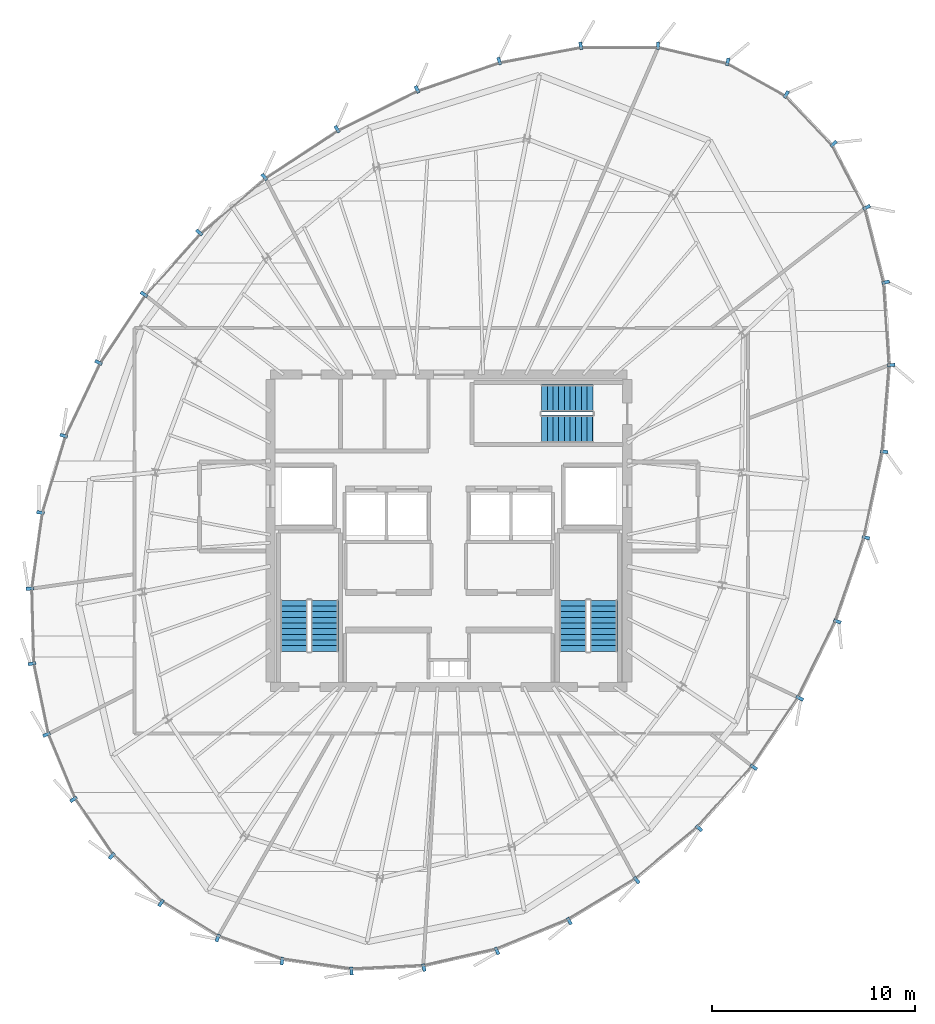
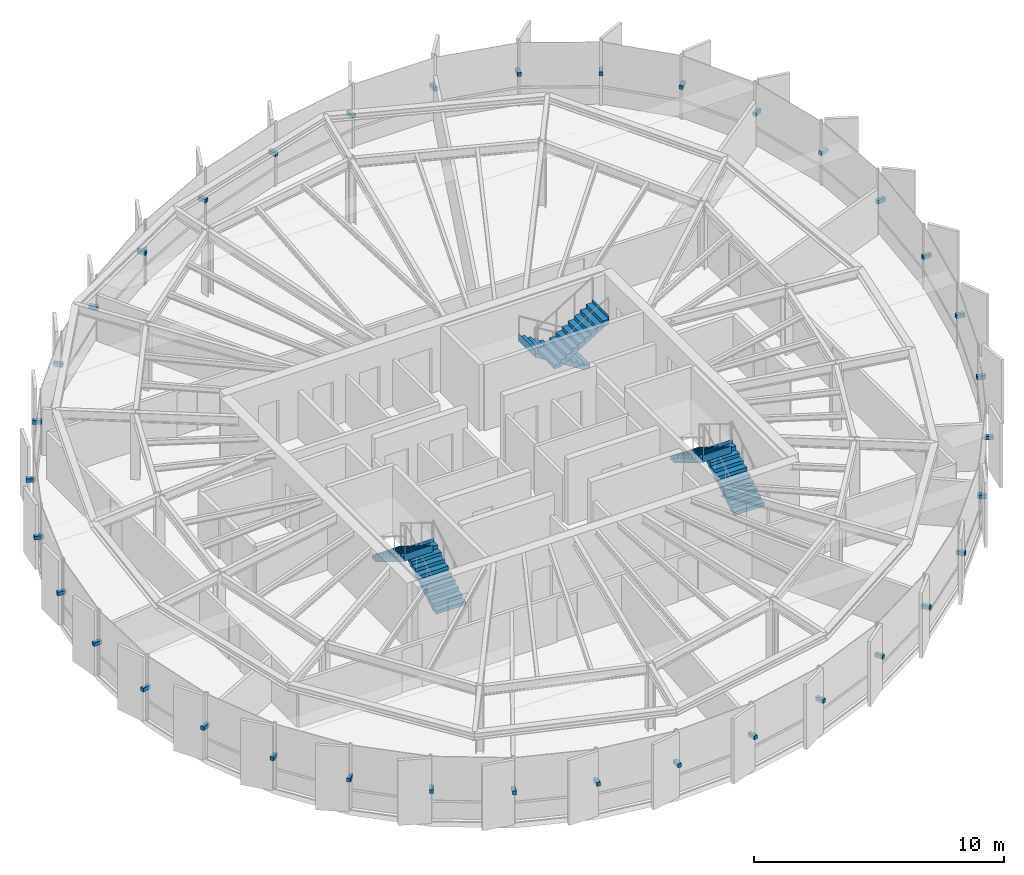
# One storey, part 31 of 35: 36 discrete accessories, 6 stair flights, 3 elements without a shape of their own.
"""IFC4 building model written with IfcOpenShell, lengths in metres."""

from ifc_helpers import new_model, si_unit, direction, frame, origin, origin_2d, place, context, subcontext, project, spatial, polyline, rectangle, outline, extrude, source, transform, mapped, material, type_object, element, aggregate, save


model = new_model("IFC4")

# Units and contexts
model_context = context("Model", 3, precision=1e-05, world=origin(), true_north=direction((0.0, 1.0)))
body_context = subcontext(model_context, "Body", "Model", "MODEL_VIEW")
ifc_project = project(units=[si_unit("LENGTHUNIT", "METRE"), si_unit("AREAUNIT", "SQUARE_METRE"), si_unit("VOLUMEUNIT", "CUBIC_METRE"), si_unit("PLANEANGLEUNIT", "RADIAN"), si_unit("MASSUNIT", "GRAM", prefix="KILO"), si_unit("THERMODYNAMICTEMPERATUREUNIT", "KELVIN")], contexts=[model_context])

# Site, building, storey
site_placement = place(None, origin())
site = spatial("IfcSite", under=ifc_project, at=site_placement, CompositionType="ELEMENT")
building_placement = place(site_placement, origin())
building = spatial("IfcBuilding", under=site, at=building_placement, Name="Kethvar Cultural Tower", CompositionType="ELEMENT")
storey_placement = place(building_placement, frame((0.0, 0.0, 245.64990234375)))
storey = spatial("IfcBuildingStorey", under=building, at=storey_placement, Name="L64", CompositionType="ELEMENT", Elevation=245.64990234375)

# Stair, stair flights
ifc_material_1 = material(Name="Concrete C40/50", Category="concrete")
stair_type = type_object("IfcStairType", Name="ST-DOGLEG-135", PredefinedType="HALF_TURN_STAIR", material=ifc_material_1)
stair_1_placement = place(storey_placement, origin())
stair_1 = element("IfcStair", 1, at=stair_1_placement, inside=storey, type_object=stair_type, Name="L64 Core Exit Stair 1", PredefinedType="HALF_TURN_STAIR")
stair_flight_type = type_object("IfcStairFlightType", Name="FL-STRAIGHT-135", PredefinedType="STRAIGHT", material=ifc_material_1)
stair_flight_1_placement = place(storey_placement, frame((40.675048828125, 21.85009765625, 0.0), z_axis=(0.0, 0.0, 1.0), x_axis=(0.0, 1.0, 0.0)))
stair_flight_1 = element("IfcStairFlight", 2, at=stair_flight_1_placement, type_object=stair_flight_type, Name="ST-01 flight 1", NumberOfRisers=10, NumberOfTreads=9, PredefinedType="STRAIGHT", RiserHeight=0.1725, TreadLength=0.28, context=body_context, shape_type="SweptSolid", body=[
    extrude(outline(polyline([(-0.0009765625, -0.0009765625), (-0.0009765625, 0.172607421875), (0.280029296875, 0.172607421875), (0.280029296875, 0.344970703125), (0.56005859375, 0.344970703125), (0.56005859375, 0.517578125), (0.840087890625, 0.517578125), (0.840087890625, 0.68994140625), (1.1201171875, 0.68994140625), (1.1201171875, 0.862548828125), (1.39990234375, 0.862548828125), (1.39990234375, 1.034912109375), (1.679931640625, 1.034912109375), (1.679931640625, 1.20751953125), (1.9599609375, 1.20751953125), (1.9599609375, 1.3798828125), (2.239990234375, 1.3798828125), (2.239990234375, 1.552490234375), (2.52001953125, 1.552490234375), (2.52001953125, 1.72509765625), (2.52099609375, 1.72509765625), (2.52099609375, 1.37646484375), (0.285888671875, 0.0), (0.0, -0.0009765625), (-0.0009765625, -0.0009765625)])), frame((0.0, 0.675048828125, 0.0), z_axis=(0.0, -1.0, 0.0), x_axis=(1.0, 0.0, 0.0)), (0.0, 0.0, 1.0), 1.35009765625),
])
stair_flight_2_placement = place(storey_placement, frame((39.1650390625, 24.3701171875, 1.72509765625), z_axis=(0.0, 0.0, 1.0), x_axis=(0.0, -1.0, 0.0)))
stair_flight_2 = element("IfcStairFlight", 3, at=stair_flight_2_placement, type_object=stair_flight_type, Name="ST-01 flight 2", NumberOfRisers=10, NumberOfTreads=9, PredefinedType="STRAIGHT", RiserHeight=0.1725, TreadLength=0.28, context=body_context, shape_type="SweptSolid", body=[
    extrude(outline(polyline([(-0.0009765625, -0.0009765625), (-0.0009765625, 0.172607421875), (0.280029296875, 0.172607421875), (0.280029296875, 0.344970703125), (0.56005859375, 0.344970703125), (0.56005859375, 0.517578125), (0.840087890625, 0.517578125), (0.840087890625, 0.68994140625), (1.1201171875, 0.68994140625), (1.1201171875, 0.862548828125), (1.39990234375, 0.862548828125), (1.39990234375, 1.034912109375), (1.679931640625, 1.034912109375), (1.679931640625, 1.20751953125), (1.9599609375, 1.20751953125), (1.9599609375, 1.3798828125), (2.239990234375, 1.3798828125), (2.239990234375, 1.552490234375), (2.52001953125, 1.552490234375), (2.52001953125, 1.72509765625), (2.52099609375, 1.72509765625), (2.52099609375, 1.37646484375), (0.285888671875, 0.0), (0.0, -0.0009765625), (-0.0009765625, -0.0009765625)])), frame((0.0, 0.675048828125, 0.0), z_axis=(0.0, -1.0, 0.0), x_axis=(1.0, 0.0, 0.0)), (0.0, 0.0, 1.0), 1.35009765625),
])
aggregate(stair_1, [stair_flight_1, stair_flight_2])

stair_2_placement = place(storey_placement, origin())
stair_2 = element("IfcStair", 4, at=stair_2_placement, inside=storey, type_object=stair_type, Name="L64 Core Exit Stair 2", PredefinedType="HALF_TURN_STAIR")
stair_flight_3_placement = place(storey_placement, frame((54.43505859375, 21.85009765625, 0.0), z_axis=(0.0, 0.0, 1.0), x_axis=(0.0, 1.0, 0.0)))
stair_flight_3 = element("IfcStairFlight", 5, at=stair_flight_3_placement, type_object=stair_flight_type, Name="ST-02 flight 1", NumberOfRisers=10, NumberOfTreads=9, PredefinedType="STRAIGHT", RiserHeight=0.1725, TreadLength=0.28, context=body_context, shape_type="SweptSolid", body=[
    extrude(outline(polyline([(-0.0009765625, -0.0009765625), (-0.0009765625, 0.172607421875), (0.280029296875, 0.172607421875), (0.280029296875, 0.344970703125), (0.56005859375, 0.344970703125), (0.56005859375, 0.517578125), (0.840087890625, 0.517578125), (0.840087890625, 0.68994140625), (1.1201171875, 0.68994140625), (1.1201171875, 0.862548828125), (1.39990234375, 0.862548828125), (1.39990234375, 1.034912109375), (1.679931640625, 1.034912109375), (1.679931640625, 1.20751953125), (1.9599609375, 1.20751953125), (1.9599609375, 1.3798828125), (2.239990234375, 1.3798828125), (2.239990234375, 1.552490234375), (2.52001953125, 1.552490234375), (2.52001953125, 1.72509765625), (2.52099609375, 1.72509765625), (2.52099609375, 1.37646484375), (0.285888671875, 0.0), (0.0, -0.0009765625), (-0.0009765625, -0.0009765625)])), frame((0.0, 0.675048828125, 0.0), z_axis=(0.0, -1.0, 0.0), x_axis=(1.0, 0.0, 0.0)), (0.0, 0.0, 1.0), 1.35009765625),
])
stair_flight_4_placement = place(storey_placement, frame((52.925048828125, 24.3701171875, 1.72509765625), z_axis=(0.0, 0.0, 1.0), x_axis=(0.0, -1.0, 0.0)))
stair_flight_4 = element("IfcStairFlight", 6, at=stair_flight_4_placement, type_object=stair_flight_type, Name="ST-02 flight 2", NumberOfRisers=10, NumberOfTreads=9, PredefinedType="STRAIGHT", RiserHeight=0.1725, TreadLength=0.28, context=body_context, shape_type="SweptSolid", body=[
    extrude(outline(polyline([(-0.0009765625, -0.0009765625), (-0.0009765625, 0.172607421875), (0.280029296875, 0.172607421875), (0.280029296875, 0.344970703125), (0.56005859375, 0.344970703125), (0.56005859375, 0.517578125), (0.840087890625, 0.517578125), (0.840087890625, 0.68994140625), (1.1201171875, 0.68994140625), (1.1201171875, 0.862548828125), (1.39990234375, 0.862548828125), (1.39990234375, 1.034912109375), (1.679931640625, 1.034912109375), (1.679931640625, 1.20751953125), (1.9599609375, 1.20751953125), (1.9599609375, 1.3798828125), (2.239990234375, 1.3798828125), (2.239990234375, 1.552490234375), (2.52001953125, 1.552490234375), (2.52001953125, 1.72509765625), (2.52099609375, 1.72509765625), (2.52099609375, 1.37646484375), (0.285888671875, 0.0), (0.0, -0.0009765625), (-0.0009765625, -0.0009765625)])), frame((0.0, 0.675048828125, 0.0), z_axis=(0.0, -1.0, 0.0), x_axis=(1.0, 0.0, 0.0)), (0.0, 0.0, 1.0), 1.35009765625),
])
aggregate(stair_2, [stair_flight_3, stair_flight_4])

stair_3_placement = place(storey_placement, origin())
stair_3 = element("IfcStair", 7, at=stair_3_placement, inside=storey, type_object=stair_type, Name="L64 Core Exit Stair 3", PredefinedType="HALF_TURN_STAIR")
stair_flight_5_placement = place(storey_placement, frame((53.89990234375, 34.3349609375, 0.0), z_axis=(0.0, 0.0, 1.0), x_axis=(-1.0, 0.0, 0.0)))
stair_flight_5 = element("IfcStairFlight", 8, at=stair_flight_5_placement, type_object=stair_flight_type, Name="ST-03 flight 1", NumberOfRisers=10, NumberOfTreads=9, PredefinedType="STRAIGHT", RiserHeight=0.1725, TreadLength=0.28, context=body_context, shape_type="SweptSolid", body=[
    extrude(outline(polyline([(-0.0009765625, -0.0009765625), (-0.0009765625, 0.172607421875), (0.280029296875, 0.172607421875), (0.280029296875, 0.344970703125), (0.56005859375, 0.344970703125), (0.56005859375, 0.517578125), (0.840087890625, 0.517578125), (0.840087890625, 0.68994140625), (1.1201171875, 0.68994140625), (1.1201171875, 0.862548828125), (1.39990234375, 0.862548828125), (1.39990234375, 1.034912109375), (1.679931640625, 1.034912109375), (1.679931640625, 1.20751953125), (1.9599609375, 1.20751953125), (1.9599609375, 1.3798828125), (2.239990234375, 1.3798828125), (2.239990234375, 1.552490234375), (2.52001953125, 1.552490234375), (2.52001953125, 1.72509765625), (2.52099609375, 1.72509765625), (2.52099609375, 1.37646484375), (0.285888671875, 0.0), (0.0, -0.0009765625), (-0.0009765625, -0.0009765625)])), frame((0.0, 0.675048828125, 0.0), z_axis=(0.0, -1.0, 0.0), x_axis=(1.0, 0.0, 0.0)), (0.0, 0.0, 1.0), 1.35009765625),
])
stair_flight_6_placement = place(storey_placement, frame((51.3798828125, 32.824951171875, 1.72509765625), z_axis=(0.0, 0.0, 1.0), x_axis=(1.0, 0.0, 0.0)))
stair_flight_6 = element("IfcStairFlight", 9, at=stair_flight_6_placement, type_object=stair_flight_type, Name="ST-03 flight 2", NumberOfRisers=10, NumberOfTreads=9, PredefinedType="STRAIGHT", RiserHeight=0.1725, TreadLength=0.28, context=body_context, shape_type="SweptSolid", body=[
    extrude(outline(polyline([(-0.0009765625, -0.0009765625), (-0.0009765625, 0.172607421875), (0.280029296875, 0.172607421875), (0.280029296875, 0.344970703125), (0.56005859375, 0.344970703125), (0.56005859375, 0.517578125), (0.840087890625, 0.517578125), (0.840087890625, 0.68994140625), (1.1201171875, 0.68994140625), (1.1201171875, 0.862548828125), (1.39990234375, 0.862548828125), (1.39990234375, 1.034912109375), (1.679931640625, 1.034912109375), (1.679931640625, 1.20751953125), (1.9599609375, 1.20751953125), (1.9599609375, 1.3798828125), (2.239990234375, 1.3798828125), (2.239990234375, 1.552490234375), (2.52001953125, 1.552490234375), (2.52001953125, 1.72509765625), (2.52099609375, 1.72509765625), (2.52099609375, 1.37646484375), (0.285888671875, 0.0), (0.0, -0.0009765625), (-0.0009765625, -0.0009765625)])), frame((0.0, 0.675048828125, 0.0), z_axis=(0.0, -1.0, 0.0), x_axis=(1.0, 0.0, 0.0)), (0.0, 0.0, 1.0), 1.35009765625),
])
aggregate(stair_3, [stair_flight_5, stair_flight_6])

# Discrete accessories
ifc_material_2 = material(Name="Steel S355J2", Category="steel")
discrete_accessory_type = type_object("IfcDiscreteAccessoryType", Name="Steel Fin Bracket BRK-01", PredefinedType="BRACKET", material=ifc_material_2)
shared_shape = source(origin(), body_context, "Body", "SweptSolid", [
    extrude(rectangle(XDim=0.3798828125, YDim=0.159912109375, at=origin_2d()), origin(), (0.0, 0.0, 1.0), 0.179931640625),
])
for number, where, z_axis, x_axis, name in (
    (10, (63.444580078125, 49.318115234375, 1.51513671875), (0.0, 0.0, 1.0), (0.487097705254, 0.873347482699, 0.0), "L64 Terracotta Fin Bracket 1.1"),
    (11, (60.555419921875, 50.928466796875, 1.51513671875), (0.0, 0.0, 1.0), (0.226651307437, 0.973975967279, 0.0), "L64 Terracotta Fin Bracket 1.2"),
    (12, (57.12060546875, 51.727783203125, 1.51513671875), (0.0, 0.0, 1.0), (-0.002268926081, 0.999997425984, 0.0), "L64 Terracotta Fin Bracket 1.3"),
    (13, (53.309814453125, 51.71923828125, 1.51513671875), (0.0, 0.0, 1.0), (-0.183608230249, 0.982999500399, 0.0), "L64 Terracotta Fin Bracket 1.4"),
    (14, (49.288818359375, 50.968017578125, 1.51513671875), (0.0, 0.0, 1.0), (-0.326393150999, 0.945234103797, 0.0), "L64 Terracotta Fin Bracket 1.5"),
    (15, (45.23583984375, 49.568359375, 1.51513671875), (0.0, 0.0, 1.0), (-0.444322489715, 0.895866912623, 0.0), "L64 Terracotta Fin Bracket 1.6"),
    (16, (41.29345703125, 47.60791015625, 1.51513671875), (0.0, 0.0, 1.0), (-0.54946037043, 0.835519779135, 0.0), "L64 Terracotta Fin Bracket 2.1"),
    (17, (37.703369140625, 45.2470703125, 1.51513671875), (0.0, 0.0, 1.0), (-0.648917026597, 0.760859180527, 0.0), "L64 Terracotta Fin Bracket 2.2"),
    (18, (34.493408203125, 42.509033203125, 1.51513671875), (0.0, 0.0, 1.0), (-0.744894056592, 0.667182766905, 0.0), "L64 Terracotta Fin Bracket 2.3"),
    (19, (31.76416015625, 39.4619140625, 1.51513671875), (0.0, 0.0, 1.0), (-0.83195412213, 0.554844427448, 0.0), "L64 Terracotta Fin Bracket 2.4"),
    (20, (29.522705078125, 36.1005859375, 1.51513671875), (0.0, 0.0, 1.0), (-0.903260415802, 0.42909278862, 0.0), "L64 Terracotta Fin Bracket 2.5"),
    (21, (27.805908203125, 32.48681640625, 1.51513671875), (0.0, 0.0, 1.0), (-0.956914999972, 0.290368184947, 0.0), "L64 Terracotta Fin Bracket 2.6"),
    (22, (26.66162109375, 28.6953125, 1.51513671875), (0.0, 0.0, 1.0), (-0.99041326747, 0.138136018543, 0.0), "L64 Terracotta Fin Bracket 3.1"),
    (23, (26.138427734375, 24.946044921875, 1.51513671875), (0.0, 0.0, 1.0), (-0.999638806409, -0.026874834341, 0.0), "L64 Terracotta Fin Bracket 3.2"),
    (24, (26.23828125, 21.248046875, 1.51513671875), (0.0, 0.0, 1.0), (-0.979222810622, -0.202787295357, 0.0), "L64 Terracotta Fin Bracket 3.3"),
    (25, (26.962890625, 17.749267578125, 1.51513671875), (0.0, 0.0, 1.0), (-0.923411307113, -0.383811878264, 0.0), "L64 Terracotta Fin Bracket 3.4"),
    (26, (28.290283203125, 14.555419921875, 1.51513671875), (0.0, 0.0, 1.0), (-0.828060334622, -0.560638994563, 0.0), "L64 Terracotta Fin Bracket 3.5"),
    (27, (30.180419921875, 11.76416015625, 1.51513671875), (0.0, 0.0, 1.0), (-0.693276057822, -0.720672122155, 0.0), "L64 Terracotta Fin Bracket 3.6"),
    (28, (32.606201171875, 9.44140625, 1.51513671875), (0.0, 0.0, 1.0), (-0.52562013762, -0.850719384362, 0.0), "L64 Terracotta Fin Bracket 4.1"),
    (29, (35.403076171875, 7.713623046875, 1.51513671875), (0.0, 0.0, 1.0), (-0.337095258423, -0.941470544812, 0.0), "L64 Terracotta Fin Bracket 4.2"),
    (30, (38.57666015625, 6.57763671875, 1.51513671875), (0.0, 0.0, 1.0), (-0.142110668555, -0.989850775563, 0.0), "L64 Terracotta Fin Bracket 4.3"),
    (31, (42.0, 6.08642578125, 1.51513671875), (0.0, 0.0, 1.0), (0.04710645071, -0.998889874962, 0.0), "L64 Terracotta Fin Bracket 4.4"),
    (32, (45.569091796875, 6.255126953125, 1.51513671875), (0.0, 0.0, 1.0), (0.222569549971, -0.974916814618, 0.0), "L64 Terracotta Fin Bracket 4.5"),
    (33, (49.175537109375, 7.078369140625, 1.51513671875), (0.0, 0.0, 1.0), (0.38010198524, -0.924944582565, 0.0), "L64 Terracotta Fin Bracket 4.6"),
    (34, (52.740234375, 8.549560546875, 1.51513671875), (0.0, 0.0, 1.0), (0.519220817836, -0.854640124453, 0.0), "L64 Terracotta Fin Bracket 5.1"),
    (35, (56.064453125, 10.569091796875, 1.51513671875), (0.0, 0.0, 1.0), (0.640243780506, -0.768171791674, 0.0), "L64 Terracotta Fin Bracket 5.2"),
    (36, (59.137451171875, 13.130615234375, 1.51513671875), (0.0, 0.0, 1.0), (0.744311546231, -0.667832555471, 0.0), "L64 Terracotta Fin Bracket 5.3"),
    (37, (61.8359375, 16.137939453125, 1.51513671875), (0.0, 0.0, 1.0), (0.831469612303, -0.55557023302, 0.0), "L64 Terracotta Fin Bracket 5.4"),
    (38, (64.108154296875, 19.5390625, 1.51513671875), (0.0, 0.0, 1.0), (0.898334492373, -0.439312121178, 0.0), "L64 Terracotta Fin Bracket 5.5"),
    (39, (65.961669921875, 23.3291015625, 1.51513671875), (0.0, 0.0, 1.0), (0.945915626384, -0.324412742909, 0.0), "L64 Terracotta Fin Bracket 5.6"),
    (40, (67.374267578125, 27.46240234375, 1.51513671875), (0.0, 0.0, 1.0), (0.978220116011, -0.207570240234, 0.0), "L64 Terracotta Fin Bracket 6.1"),
    (41, (68.273681640625, 31.699951171875, 1.51513671875), (0.0, 0.0, 1.0), (0.996708512156, -0.081068747348, 0.0), "L64 Terracotta Fin Bracket 6.2"),
    (42, (68.62109375, 35.973876953125, 1.51513671875), (0.0, 0.0, 1.0), (0.997778273548, 0.066622194773, 0.0), "L64 Terracotta Fin Bracket 6.3"),
    (43, (68.3486328125, 40.055419921875, 1.51513671875), (0.0, 0.0, 1.0), (0.969144926951, 0.246491603437, 0.0), "L64 Terracotta Fin Bracket 6.4"),
    (44, (67.40869140625, 43.7490234375, 1.51513671875), (0.0, 0.0, 1.0), (0.886930229333, 0.461903418797, 0.0), "L64 Terracotta Fin Bracket 6.5"),
    (45, (65.779296875, 46.87744140625, 1.51513671875), (0.0, 0.0, 1.0), (0.724773392198, 0.688987322062, 0.0), "L64 Terracotta Fin Bracket 6.6"),
):
    element("IfcDiscreteAccessory", number, at=place(storey_placement, frame(where, z_axis=z_axis, x_axis=x_axis)), inside=storey, type_object=discrete_accessory_type, Name=name, PredefinedType="BRACKET", context=body_context, shape_type="MappedRepresentation", body=[
        mapped(shared_shape, transform((0.0, 0.0, 0.0), scale=1.0)),
    ])

save(model, "model.ifc")
